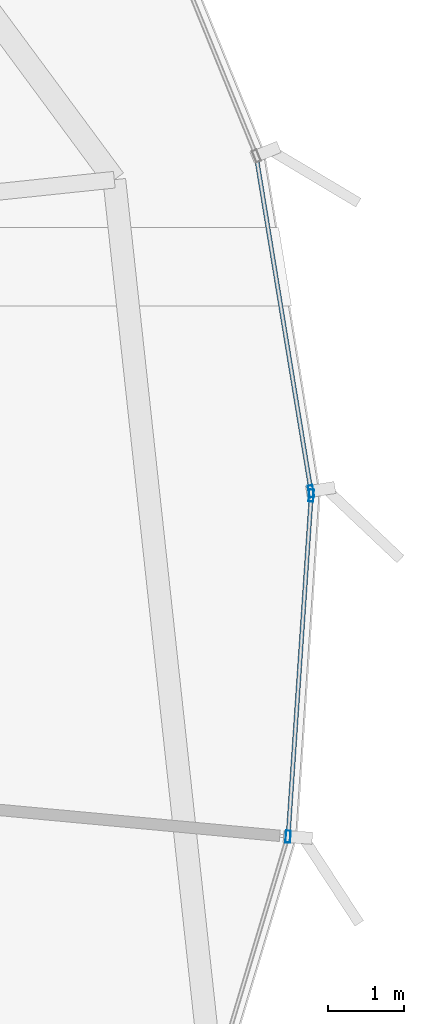
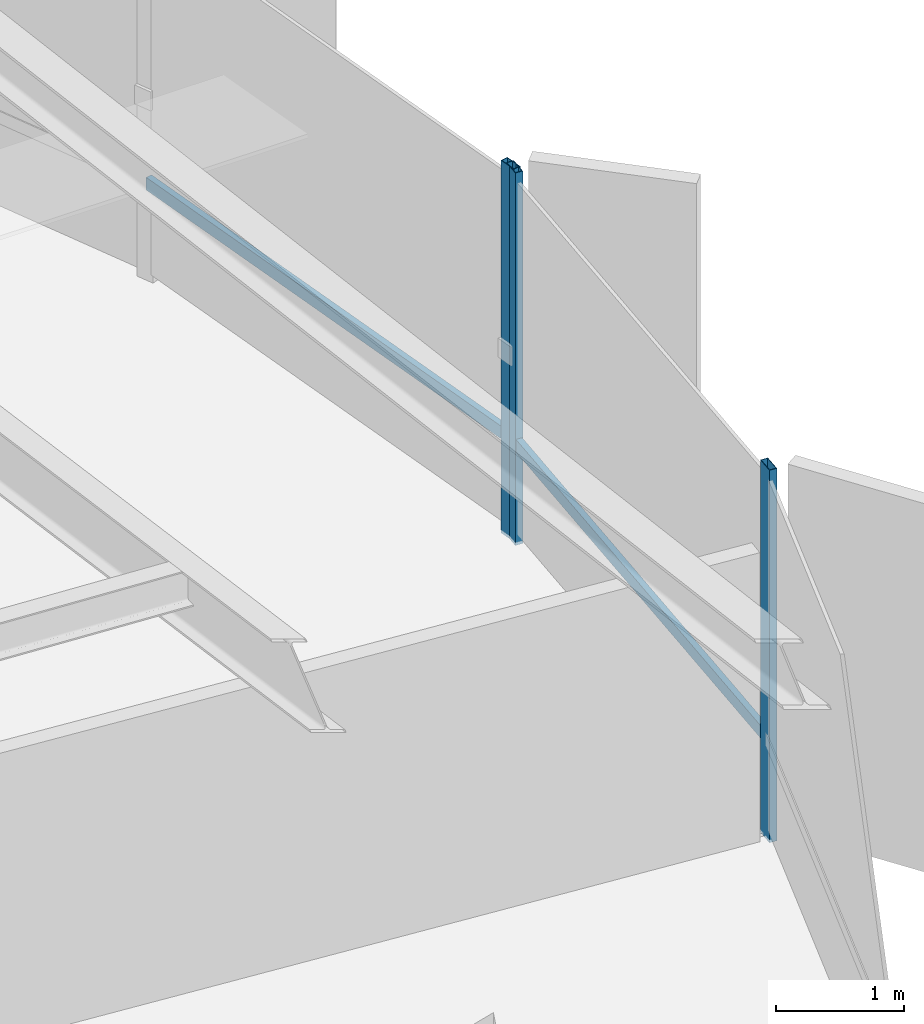
# One storey, part 28 of 39: 5 members, 2 elements without a shape of their own.
"""IFC4 building model written with IfcOpenShell, lengths in metres."""

from ifc_helpers import new_model, si_unit, direction, frame, origin, origin_2d, place, context, subcontext, project, spatial, hollow_rectangle, extrude, source, transform, mapped, material, layer, layer_set, material_profile, profile_set, type_object, element, aggregate, save


model = new_model("IFC4")

# Units and contexts
model_context = context("Model", 3, precision=1e-05, world=origin(), true_north=direction((0.0, 1.0)))
body_context = subcontext(model_context, "Body", "Model", "MODEL_VIEW")
ifc_project = project(units=[si_unit("LENGTHUNIT", "METRE"), si_unit("AREAUNIT", "SQUARE_METRE"), si_unit("VOLUMEUNIT", "CUBIC_METRE"), si_unit("PLANEANGLEUNIT", "RADIAN"), si_unit("MASSUNIT", "GRAM", prefix="KILO"), si_unit("THERMODYNAMICTEMPERATUREUNIT", "KELVIN")], contexts=[model_context])

# Site, building, storey
site_placement = place(None, origin())
site = spatial("IfcSite", under=ifc_project, at=site_placement, CompositionType="ELEMENT")
building_placement = place(site_placement, origin())
building = spatial("IfcBuilding", under=site, at=building_placement, Name="Kethvar Cultural Tower", CompositionType="ELEMENT")
storey_placement = place(building_placement, frame((0.0, 0.0, 41.0)))
storey = spatial("IfcBuildingStorey", under=building, at=storey_placement, Name="L09", CompositionType="ELEMENT", Elevation=41.0)

# Curtain wall, member
ifc_material = material(Name="Aluminium 6063-T6", Category="aluminium")
ifc_layer = layer(ifc_material, 0.179931640625, Name="Aluminium 6063-T6", Category="aluminium")
ifc_layer_set = layer_set([ifc_layer], Name="Aluminium 6063-T6 (180 mm)")
curtain_wall_type = type_object("IfcCurtainWallType", Name="CW-SYS-02-Z1", PredefinedType="NOTDEFINED", material=ifc_layer_set)
curtain_wall_1_placement = place(storey_placement, origin())
curtain_wall_1 = element("IfcCurtainWall", 1, at=curtain_wall_1_placement, inside=storey, type_object=curtain_wall_type, Name="L09 Curtain Wall Run 01", PredefinedType="NOTDEFINED")
ifc_material_profile_1 = material_profile(ifc_material, hollow_rectangle(XDim=0.06494140625, YDim=0.159912109375, WallThickness=0.0048828125, at=origin_2d()), Name="Aluminium 6063-T6 — RHS160x65x5")
ifc_profile_set_1 = profile_set([ifc_material_profile_1], Name="Aluminium 6063-T6 — RHS160x65x5")
member_type_1 = type_object("IfcMemberType", Name="CW-SYS-02-Z1-MUL", PredefinedType="MULLION", material=ifc_profile_set_1)
shared_shape_1 = source(origin(), body_context, "Body", "SweptSolid", [
    extrude(hollow_rectangle(XDim=0.06494140625, YDim=0.159912109375, WallThickness=0.0048828125, at=origin_2d()), origin(), (0.0, 0.0, 1.0), 3.550048828125),
])
member_1_placement = place(storey_placement, frame((79.433349609375, 29.3671875, 0.0), z_axis=(0.0, 0.0, 1.0), x_axis=(-0.986895174209, -0.161362681941, 0.0)))
member_1 = element("IfcMember", 2, at=member_1_placement, type_object=member_type_1, Name="CW-L09-R01 Mullion 1", PredefinedType="MULLION", context=body_context, shape_type="MappedRepresentation", body=[
    mapped(shared_shape_1, transform((0.0, 0.0, 0.0), scale=1.0)),
])

# Curtain wall, members
curtain_wall_2_placement = place(storey_placement, origin())
curtain_wall_2 = element("IfcCurtainWall", 3, at=curtain_wall_2_placement, inside=storey, type_object=curtain_wall_type, Name="L09 Curtain Wall Run 06", PredefinedType="NOTDEFINED")
member_2_placement = place(storey_placement, frame((79.130615234375, 24.814453125, 0.0), z_axis=(0.0, 0.0, 1.0), x_axis=(-0.997702051007, 0.067754095204, 0.0)))
member_2 = element("IfcMember", 4, at=member_2_placement, type_object=member_type_1, Name="CW-L09-R06 Mullion 6", PredefinedType="MULLION", context=body_context, shape_type="MappedRepresentation", body=[
    mapped(shared_shape_1, transform((0.0, 0.0, 0.0), scale=1.0)),
])
member_3_placement = place(storey_placement, frame((79.435791015625, 29.310791015625, 0.0), z_axis=(0.0, 0.0, 1.0), x_axis=(-0.997702051007, 0.067754095204, 0.0)))
member_3 = element("IfcMember", 5, at=member_3_placement, type_object=member_type_1, Name="CW-L09-R06 Mullion 7", PredefinedType="MULLION", context=body_context, shape_type="MappedRepresentation", body=[
    mapped(shared_shape_1, transform((0.0, 0.0, 0.0), scale=1.0)),
])

# Member
ifc_material_profile_2 = material_profile(ifc_material, hollow_rectangle(XDim=0.054931640625, YDim=0.1201171875, WallThickness=0.00390625, at=origin_2d()), Name="Aluminium 6063-T6 — RHS120x55x4")
ifc_profile_set_2 = profile_set([ifc_material_profile_2], Name="Aluminium 6063-T6 — RHS120x55x4")
member_type_2 = type_object("IfcMemberType", Name="CW-SYS-02-Z1-TRN", PredefinedType="USERDEFINED", material=ifc_profile_set_2)
shared_shape_2 = source(origin(), body_context, "Body", "SweptSolid", [
    extrude(hollow_rectangle(XDim=0.054931640625, YDim=0.1201171875, WallThickness=0.00390625, at=origin_2d()), origin(), (0.0, 0.0, 1.0), 4.45556640625),
])
member_4_placement = place(storey_placement, frame((79.4326171875, 29.37158203125, 0.949951171875), z_axis=(-0.161368253034, 0.986894263289, 0.0), x_axis=(-0.986894263289, -0.161368253034, 0.0)))
member_4 = element("IfcMember", 6, at=member_4_placement, type_object=member_type_2, Name="CW-L09-R01 Transom 1", ObjectType="TRANSOM", PredefinedType="USERDEFINED", context=body_context, shape_type="MappedRepresentation", body=[
    mapped(shared_shape_2, transform((0.0, 0.0, 0.0), scale=1.0)),
])

aggregate(curtain_wall_1, [member_1, member_4])

member_5_placement = place(storey_placement, frame((79.1337890625, 24.861083984375, 0.949951171875), z_axis=(0.067726387318, 0.997703932267, 0.0), x_axis=(-0.997703932267, 0.067726387318, 0.0)))
member_5 = element("IfcMember", 7, at=member_5_placement, type_object=member_type_2, Name="CW-L09-R06 Transom 6", ObjectType="TRANSOM", PredefinedType="USERDEFINED", context=body_context, shape_type="MappedRepresentation", body=[
    mapped(shared_shape_2, transform((0.0, 0.0, 0.0), scale=1.0)),
])

aggregate(curtain_wall_2, [member_2, member_3, member_5])

save(model, "model.ifc")
